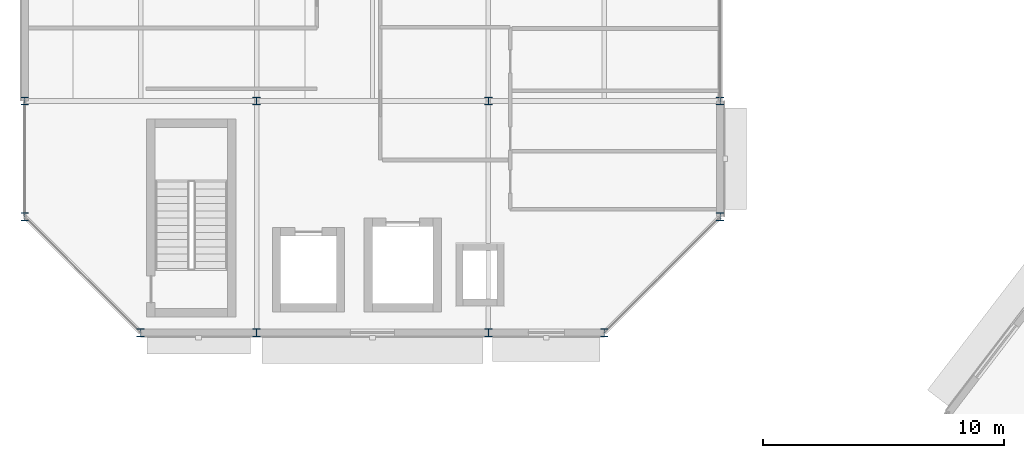
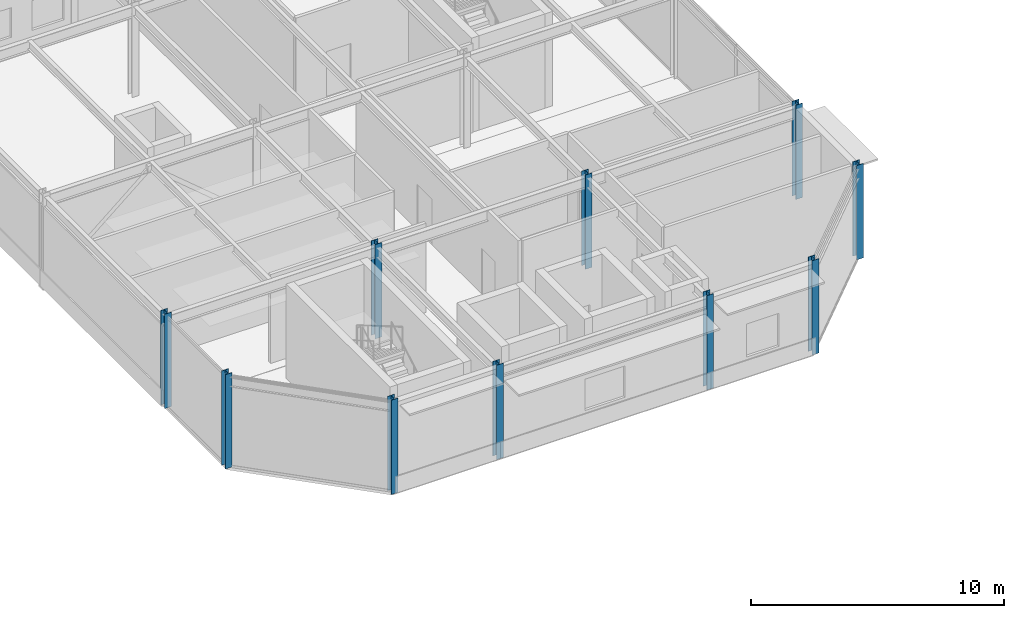
# One storey, part 5 of 89: 10 columns.
"""IFC4 building model written with IfcOpenShell, lengths in metres."""

from ifc_helpers import new_model, si_unit, direction, frame, origin, origin_2d, place, context, subcontext, project, spatial, i_section, extrude, material, material_profile, profile_set, type_object, element, save


model = new_model("IFC4")

# Units and contexts
model_context = context("Model", 3, precision=1e-05, world=origin(), true_north=direction((0.0, 1.0)))
body_context = subcontext(model_context, "Body", "Model", "MODEL_VIEW")
ifc_project = project(units=[si_unit("LENGTHUNIT", "METRE"), si_unit("AREAUNIT", "SQUARE_METRE"), si_unit("VOLUMEUNIT", "CUBIC_METRE"), si_unit("PLANEANGLEUNIT", "RADIAN"), si_unit("MASSUNIT", "GRAM", prefix="KILO")], contexts=[model_context])

# Site, building, storey
site_placement = place(None, origin())
site = spatial("IfcSite", under=ifc_project, at=site_placement, CompositionType="ELEMENT")
building_placement = place(site_placement, origin())
building = spatial("IfcBuilding", under=site, at=building_placement, Name="Almandine Court Research Institute", CompositionType="ELEMENT")
storey_placement = place(building_placement, frame((0.0, 0.0, 18.89990234375)))
storey = spatial("IfcBuildingStorey", under=building, at=storey_placement, Name="L04", CompositionType="ELEMENT", Elevation=18.89990234375)

# Columns
ifc_material = material(Name="Steel ASTM A992 Grade 50", Category="steel")
ifc_material_profile_1 = material_profile(ifc_material, i_section(OverallWidth=0.30810546875, OverallDepth=0.318115234375, WebThickness=0.012939453125, FlangeThickness=0.02099609375, at=origin_2d()), Name="W310x129")
ifc_profile_set_1 = profile_set([ifc_material_profile_1], Name="Steel ASTM A992 Grade 50")
column_type_1 = type_object("IfcColumnType", Name="Col-C-W07", PredefinedType="COLUMN", material=ifc_profile_set_1)
for number, where, z_axis, x_axis, name in (
    (1, (15.60009765625, 93.60009765625, 0.0), (0.0, 0.0, 1.0), (1.0, 0.0, 0.0), "L04 V3 Column V3-X2Y2"),
    (2, (25.199951171875, 93.60009765625, 0.0), (0.0, 0.0, 1.0), (1.0, 0.0, 0.0), "L04 V3 Column V3-X3Y2"),
):
    element("IfcColumn", number, at=place(storey_placement, frame(where, z_axis=z_axis, x_axis=x_axis)), inside=storey, type_object=column_type_1, Name=name, PredefinedType="COLUMN", context=body_context, shape_type="SweptSolid", body=[
        extrude(i_section(OverallWidth=0.30810546875, OverallDepth=0.318115234375, WebThickness=0.012939453125, FlangeThickness=0.02099609375, at=origin_2d()), origin(), (0.0, 0.0, 1.0), 4.550048828125),
    ])
ifc_material_profile_2 = material_profile(ifc_material, i_section(OverallWidth=0.30810546875, OverallDepth=0.318115234375, WebThickness=0.012939453125, FlangeThickness=0.02099609375, at=origin_2d()), Name="W310x129")
ifc_profile_set_2 = profile_set([ifc_material_profile_2], Name="Steel ASTM A992 Grade 50")
column_type_2 = type_object("IfcColumnType", Name="Col-C-W07-E", PredefinedType="COLUMN", material=ifc_profile_set_2)
for number, where, z_axis, x_axis, name in (
    (3, (6.0, 93.60009765625, 0.0), (0.0, 0.0, 1.0), (1.0, 0.0, 0.0), "L04 V3 Column V3-X1Y2"),
    (4, (15.60009765625, 84.0, 0.0), (0.0, 0.0, 1.0), (1.0, 0.0, 0.0), "L04 V3 Column V3-X2Y1"),
    (5, (25.199951171875, 84.0, 0.0), (0.0, 0.0, 1.0), (1.0, 0.0, 0.0), "L04 V3 Column V3-X3Y1"),
    (6, (34.800048828125, 93.60009765625, 0.0), (0.0, 0.0, 1.0), (1.0, 0.0, 0.0), "L04 V3 Column V3-X4Y2"),
    (7, (10.800048828125, 84.0, 0.0), (0.0, 0.0, 1.0), (1.0, 0.0, 0.0), "L04 V3 Column V3-CH1"),
    (8, (30.0, 84.0, 0.0), (0.0, 0.0, 1.0), (1.0, 0.0, 0.0), "L04 V3 Column V3-CH2"),
    (9, (34.800048828125, 88.800048828125, 0.0), (0.0, 0.0, 1.0), (1.0, 0.0, 0.0), "L04 V3 Column V3-CH3"),
    (10, (6.0, 88.800048828125, 0.0), (0.0, 0.0, 1.0), (1.0, 0.0, 0.0), "L04 V3 Column V3-CH8"),
):
    element("IfcColumn", number, at=place(storey_placement, frame(where, z_axis=z_axis, x_axis=x_axis)), inside=storey, type_object=column_type_2, Name=name, PredefinedType="COLUMN", context=body_context, shape_type="SweptSolid", body=[
        extrude(i_section(OverallWidth=0.30810546875, OverallDepth=0.318115234375, WebThickness=0.012939453125, FlangeThickness=0.02099609375, at=origin_2d()), origin(), (0.0, 0.0, 1.0), 4.550048828125),
    ])

save(model, "model.ifc")
